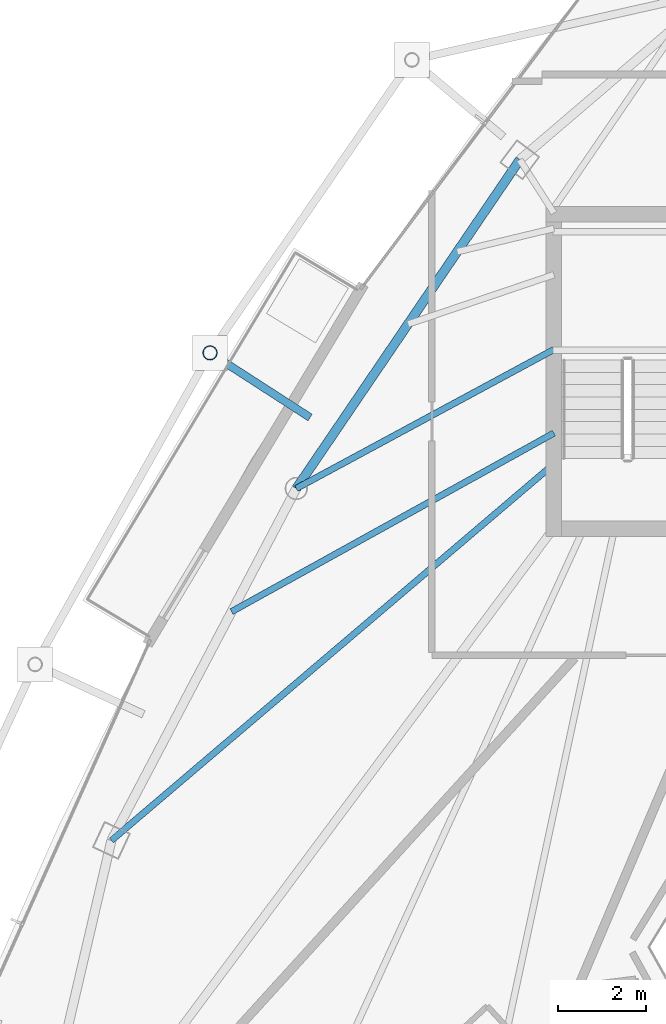
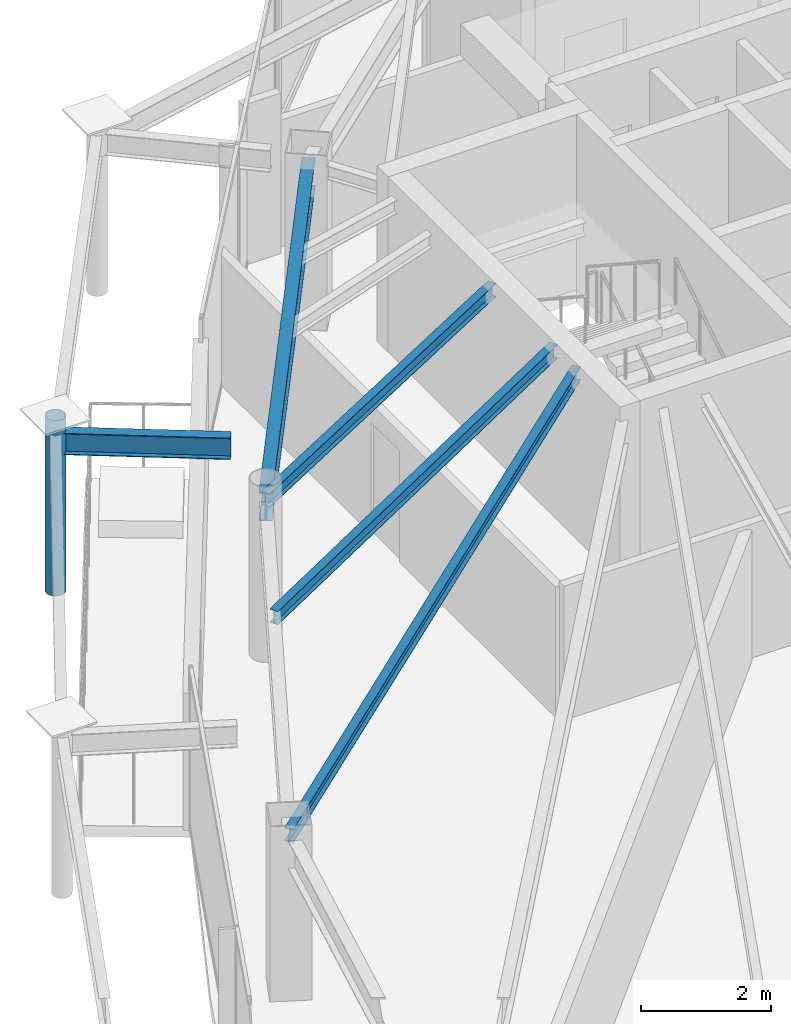
# One storey, part 11 of 30: 5 beams, 1 member.
"""IFC4 building model written with IfcOpenShell, lengths in metres."""

from ifc_helpers import new_model, si_unit, direction, frame, origin, origin_2d, place, context, subcontext, project, spatial, hollow_circle, i_section, extrude, material, material_profile, profile_set, type_object, element, save


model = new_model("IFC4")

# Units and contexts
model_context = context("Model", 3, precision=1e-05, world=origin(), true_north=direction((0.0, 1.0)))
body_context = subcontext(model_context, "Body", "Model", "MODEL_VIEW")
ifc_project = project(units=[si_unit("LENGTHUNIT", "METRE"), si_unit("AREAUNIT", "SQUARE_METRE"), si_unit("VOLUMEUNIT", "CUBIC_METRE"), si_unit("PLANEANGLEUNIT", "RADIAN"), si_unit("MASSUNIT", "GRAM", prefix="KILO")], contexts=[model_context])

# Site, building, storey
site_placement = place(None, origin())
site = spatial("IfcSite", under=ifc_project, at=site_placement, CompositionType="ELEMENT")
building_placement = place(site_placement, origin())
building = spatial("IfcBuilding", under=site, at=building_placement, Name="Orvanel Arch Residences", CompositionType="ELEMENT")
storey_placement = place(building_placement, frame((0.0, 0.0, 273.35009765625)))
storey = spatial("IfcBuildingStorey", under=building, at=storey_placement, Name="L78", CompositionType="ELEMENT", Elevation=273.35009765625)

# Beams
ifc_material_1 = material(Name="Structural steel AS/NZS 3679.1 Grade 300 (300 MPa)", Category="steel")
ifc_material_profile_1 = material_profile(ifc_material_1, i_section(OverallWidth=0.14599609375, OverallDepth=0.251953125, WebThickness=0.006103515625, FlangeThickness=0.008544921875, at=origin_2d()), Name="250UB31.4")
ifc_profile_set_1 = profile_set([ifc_material_profile_1], Name="Structural steel AS/NZS 3679.1 Grade 300 (300 MPa)")
beam_type_1 = type_object("IfcBeamType", Name="BJ-250UB", PredefinedType="JOIST", material=ifc_profile_set_1)
beam_1_placement = place(storey_placement, frame((26.425048828125, 30.800048828125, 2.893798828125), z_axis=(-0.880111494021, -0.474767056664, 0.0), x_axis=(0.474767056664, -0.880111494021, 0.0)))
element("IfcBeam", 1, at=beam_1_placement, inside=storey, type_object=beam_type_1, Name="L78 NW Wing Floor Joist", PredefinedType="JOIST", context=body_context, shape_type="SweptSolid", body=[
    extrude(i_section(OverallWidth=0.14599609375, OverallDepth=0.251953125, WebThickness=0.006103515625, FlangeThickness=0.008544921875, at=origin_2d()), origin(), (0.0, 0.0, 1.0), 6.653564453125),
])
beam_2_placement = place(storey_placement, frame((26.425048828125, 28.199951171875, 2.893798828125), z_axis=(-0.761622669031, -0.64802076357, 0.0), x_axis=(0.64802076357, -0.761622669031, 0.0)))
element("IfcBeam", 2, at=beam_2_placement, inside=storey, type_object=beam_type_1, Name="L78 W Wing Floor Joist", PredefinedType="JOIST", context=body_context, shape_type="SweptSolid", body=[
    extrude(i_section(OverallWidth=0.14599609375, OverallDepth=0.251953125, WebThickness=0.006103515625, FlangeThickness=0.008544921875, at=origin_2d()), origin(), (0.0, 0.0, 1.0), 13.2060546875),
])
beam_3_placement = place(storey_placement, frame((26.425048828125, 28.89990234375, 2.893798828125), z_axis=(-0.874754673235, -0.484566054996, 0.0), x_axis=(0.484566054996, -0.874754673235, 0.0)))
element("IfcBeam", 3, at=beam_3_placement, inside=storey, type_object=beam_type_1, Name="L78 CTW Wing Floor Joist", PredefinedType="JOIST", context=body_context, shape_type="SweptSolid", body=[
    extrude(i_section(OverallWidth=0.14599609375, OverallDepth=0.251953125, WebThickness=0.006103515625, FlangeThickness=0.008544921875, at=origin_2d()), origin(), (0.0, 0.0, 1.0), 8.376220703125),
])
ifc_material_profile_2 = material_profile(ifc_material_1, i_section(OverallWidth=0.177978515625, OverallDepth=0.406005859375, WebThickness=0.0078125, FlangeThickness=0.0126953125, at=origin_2d()), Name="410UB59.7")
ifc_profile_set_2 = profile_set([ifc_material_profile_2], Name="Structural steel AS/NZS 3679.1 Grade 300 (300 MPa)")
beam_type_2 = type_object("IfcBeamType", Name="OB-410UB-EXT", PredefinedType="SPANDREL", material=ifc_profile_set_2)
beam_4_placement = place(storey_placement, frame((20.882080078125, 29.25390625, 2.81689453125), z_axis=(-0.8399957091, 0.542593041509, 0.0), x_axis=(-0.542593041509, -0.8399957091, 0.0)))
element("IfcBeam", 4, at=beam_4_placement, inside=storey, type_object=beam_type_2, Name="L78 Outer Frame Radial Tie Beam 02", PredefinedType="SPANDREL", context=body_context, shape_type="SweptSolid", body=[
    extrude(i_section(OverallWidth=0.177978515625, OverallDepth=0.406005859375, WebThickness=0.0078125, FlangeThickness=0.0126953125, at=origin_2d()), origin(), (0.0, 0.0, 1.0), 2.707275390625),
])
ifc_material_profile_3 = material_profile(ifc_material_1, i_section(OverallWidth=0.208984375, OverallDepth=0.532958984375, WebThickness=0.01025390625, FlangeThickness=0.015625, at=origin_2d()), Name="530UB92.4")
ifc_profile_set_3 = profile_set([ifc_material_profile_3], Name="Structural steel AS/NZS 3679.1 Grade 300 (300 MPa)")
beam_type_3 = type_object("IfcBeamType", Name="SP-530UB", PredefinedType="SPANDREL", material=ifc_profile_set_3)
beam_5_placement = place(storey_placement, frame((25.64794921875, 35.113037109375, 2.7529296875), z_axis=(-0.562154793153, -0.827032035978, 0.0), x_axis=(0.827032035978, -0.562154793153, 0.0)))
element("IfcBeam", 5, at=beam_5_placement, inside=storey, type_object=beam_type_3, Name="L78 Perimeter Spandrel Beam 11", PredefinedType="SPANDREL", context=body_context, shape_type="SweptSolid", body=[
    extrude(i_section(OverallWidth=0.208984375, OverallDepth=0.532958984375, WebThickness=0.01025390625, FlangeThickness=0.015625, at=origin_2d()), origin(), (0.0, 0.0, 1.0), 9.03466796875),
])

# Member
ifc_material_2 = material(Name="Structural steel AS/NZS 1163 C350L0 (Grade 350)", Category="steel")
ifc_material_profile_4 = material_profile(ifc_material_2, hollow_circle(Radius=0.162109375, WallThickness=0.0126953125, at=origin_2d()), Name="CHS324x12.7")
ifc_profile_set_4 = profile_set([ifc_material_profile_4], Name="Structural steel AS/NZS 1163 C350L0 (Grade 350)")
member_type = type_object("IfcMemberType", Name="ST-324CHS-EXT", PredefinedType="STRUT", material=ifc_profile_set_4)
member_placement = place(storey_placement, frame((18.60791015625, 30.722900390625, 0.0), z_axis=(0.0, 0.0, 1.0), x_axis=(1.0, 0.0, 0.0)))
element("IfcMember", 6, at=member_placement, inside=storey, type_object=member_type, Name="L78 Outer Perimeter Frame Post 02", PredefinedType="STRUT", context=body_context, shape_type="SweptSolid", body=[
    extrude(hollow_circle(Radius=0.162109375, WallThickness=0.0126953125, at=origin_2d()), origin(), (0.0, 0.0, 1.0), 3.2998046875),
])

save(model, "model.ifc")
